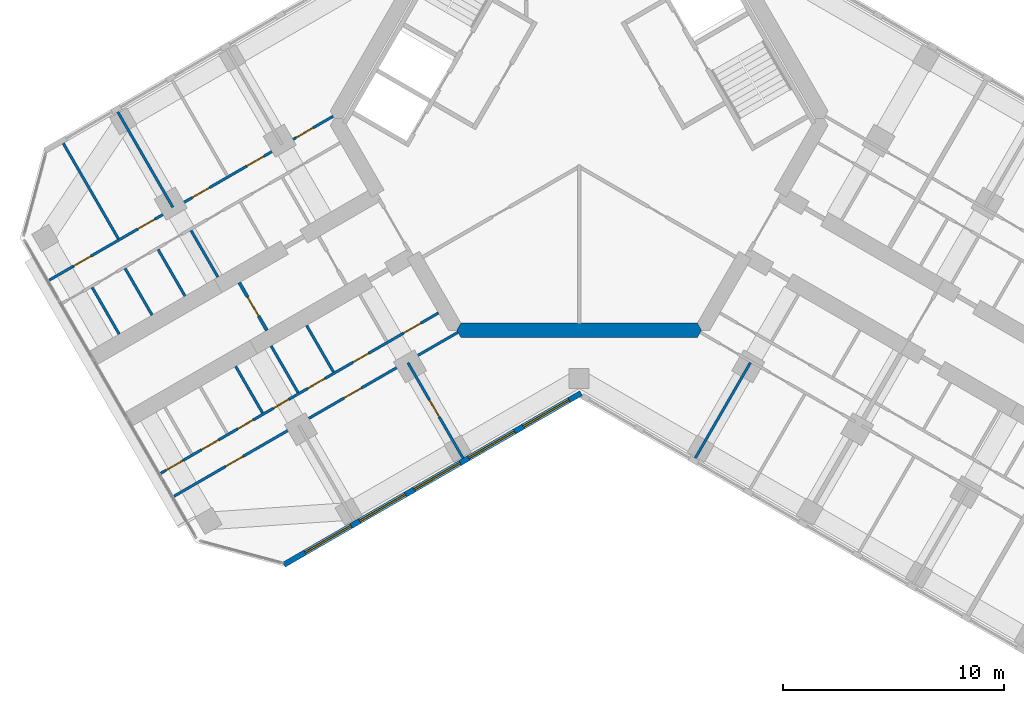
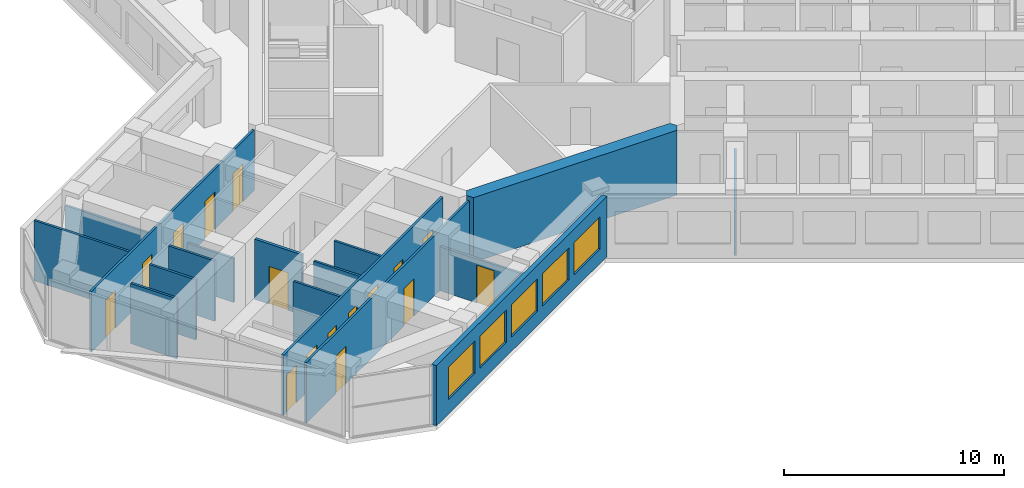
# One storey, part 8 of 16: 17 walls, 16 doors, 5 windows, 21 openings.
"""IFC4 building model written with IfcOpenShell, lengths in metres."""

from ifc_helpers import new_model, si_unit, direction, frame, frame_2d, origin, place, context, subcontext, project, spatial, polyline, rectangle, outline, extrude, material, layer, layer_set, type_object, element, fill, save


model = new_model("IFC4")

# Units and contexts
model_context = context("Model", 3, precision=1e-05, world=origin(), true_north=direction((0.0, 1.0)))
body_context = subcontext(model_context, "Body", "Model", "MODEL_VIEW")
ifc_project = project(units=[si_unit("LENGTHUNIT", "METRE"), si_unit("AREAUNIT", "SQUARE_METRE"), si_unit("VOLUMEUNIT", "CUBIC_METRE"), si_unit("PLANEANGLEUNIT", "RADIAN"), si_unit("MASSUNIT", "GRAM", prefix="KILO")], contexts=[model_context])

# Site, building, storey
site_placement = place(None, origin())
site = spatial("IfcSite", under=ifc_project, at=site_placement, CompositionType="ELEMENT")
building_placement = place(site_placement, origin())
building = spatial("IfcBuilding", under=site, at=building_placement, Name="Kosmar Iwan School Tower", CompositionType="ELEMENT")
storey_placement = place(building_placement, frame((0.0, 0.0, 201.0)))
storey = spatial("IfcBuildingStorey", under=building, at=storey_placement, Name="L50", CompositionType="ELEMENT", Elevation=201.0)

# Wall
ifc_material_1 = material(Name="Concrete C50/60", Category="concrete")
ifc_layer_1 = layer(ifc_material_1, 0.64990234375)
ifc_layer_set_1 = layer_set([ifc_layer_1], Name="Core wall 650")
wall_type_1 = type_object("IfcWallType", Name="Core wall 650", PredefinedType="SHEAR", material=ifc_layer_set_1)
wall_1_placement = place(storey_placement, origin())
element("IfcWall", 1, at=wall_1_placement, inside=storey, type_object=wall_type_1, Name="Core wall F270", PredefinedType="SHEAR", context=body_context, shape_type="SweptSolid", body=[
    extrude(outline(polyline([(-5.35498046875, -9.925048828125), (5.35498046875, -9.925048828125), (5.54248046875, -9.60009765625), (5.35498046875, -9.27490234375), (-5.35498046875, -9.27490234375), (-5.54248046875, -9.60009765625), (-5.35498046875, -9.925048828125)])), origin(), (0.0, 0.0, 1.0), 3.60009765625),
])

# Wall, opening, door
ifc_material_2 = material(Name="Gypsum board on steel studs, fire-rated", Category="steel")
ifc_layer_2 = layer(ifc_material_2, 0.14990234375)
ifc_layer_set_2 = layer_set([ifc_layer_2], Name="Corridor end wall 150")
wall_type_2 = type_object("IfcWallType", Name="Corridor end wall 150", PredefinedType="PARTITIONING", material=ifc_layer_set_2)
wall_2_placement = place(storey_placement, frame((-15.390625, -7.4423828125, 0.0), z_axis=(0.0, 0.0, 1.0), x_axis=(0.500004234368, -0.866022959057, 0.0)))
wall_2 = element("IfcWall", 2, at=wall_2_placement, inside=storey, type_object=wall_type_2, Name="Partition L50-B-CE", PredefinedType="PARTITIONING", context=body_context, shape_type="SweptSolid", body=[
    extrude(rectangle(XDim=2.5, YDim=0.14990234375, at=frame_2d((1.25, 0.0))), origin(), (0.0, 0.0, 1.0), 3.35009765625),
])
opening_1_placement = place(wall_2_placement, frame((0.75, 0.0, 0.0)))
opening_1 = element("IfcOpeningElement", 3, at=opening_1_placement, cuts=wall_2, Name="Opening D13", PredefinedType="OPENING", context=body_context, shape_type="SweptSolid", body=[
    extrude(rectangle(XDim=1.0, YDim=2.10009765625, at=frame_2d((0.5, 1.050048828125))), frame((0.0, 0.0869140625, 0.0), z_axis=(0.0, -1.0, 0.0), x_axis=(1.0, 0.0, 0.0)), (0.0, 0.0, 1.0), 0.173828125),
])
ifc_material_3 = material(Name="Timber fire door with vision panel", Category="wood")
door_type_1 = type_object("IfcDoorType", Name="Corridor end door 1000x2100", OperationType="SINGLE_SWING_LEFT", PredefinedType="DOOR", material=ifc_material_3)
door_1_placement = place(opening_1_placement, origin())
door_1 = element("IfcDoor", 4, at=door_1_placement, inside=storey, type_object=door_type_1, Name="Hobby workshop door L50-B", OperationType="SINGLE_SWING_LEFT", OverallHeight=2.10009765625, OverallWidth=1.0, PredefinedType="DOOR", context=body_context, shape_type="SweptSolid", body=[
    extrude(rectangle(XDim=1.0, YDim=2.10009765625, at=frame_2d((0.5, 1.050048828125))), frame((0.0, 0.02490234375, 0.0), z_axis=(0.0, -1.0, 0.0), x_axis=(1.0, 0.0, 0.0)), (0.0, 0.0, 1.0), 0.050048828125),
])
fill(opening_1, door_1)

# Wall, openings, doors
ifc_material_4 = material(Name="Gypsum board on steel studs", Category="steel")
ifc_layer_3 = layer(ifc_material_4, 0.1201171875)
ifc_layer_set_3 = layer_set([ifc_layer_3], Name="Dwelling partition 120")
wall_type_3 = type_object("IfcWallType", Name="Dwelling partition 120", PredefinedType="PARTITIONING", material=ifc_layer_set_3)
wall_3_placement = place(storey_placement, frame((-6.370361328125, -8.81640625, 0.0), z_axis=(0.0, 0.0, 1.0), x_axis=(-0.866025425371, -0.499999962611, 0.0)))
wall_3 = element("IfcWall", 5, at=wall_3_placement, inside=storey, type_object=wall_type_3, Name="Partition L50-BL1-W1", PredefinedType="PARTITIONING", context=body_context, shape_type="SweptSolid", body=[
    extrude(rectangle(XDim=14.52001953125, YDim=0.1201171875, at=frame_2d((7.260009765625, 0.0))), origin(), (0.0, 0.0, 1.0), 3.35009765625),
])
opening_2_placement = place(wall_3_placement, frame((0.925048828125, 0.0, 0.0)))
opening_2 = element("IfcOpeningElement", 6, at=opening_2_placement, cuts=wall_3, Name="Opening D2", PredefinedType="OPENING", context=body_context, shape_type="SweptSolid", body=[
    extrude(rectangle(XDim=0.89990234375, YDim=2.10009765625, at=frame_2d((0.449951171875, 1.050048828125))), frame((0.0, 0.072021484375, 0.0), z_axis=(0.0, -1.0, 0.0), x_axis=(1.0, 0.0, 0.0)), (0.0, 0.0, 1.0), 0.14404296875),
])
opening_3_placement = place(wall_3_placement, frame((3.665283203125, 0.0, 0.0)))
opening_3 = element("IfcOpeningElement", 7, at=opening_3_placement, cuts=wall_3, Name="Opening D3", PredefinedType="OPENING", context=body_context, shape_type="SweptSolid", body=[
    extrude(rectangle(XDim=0.800048828125, YDim=2.10009765625, at=frame_2d((0.39990234375, 1.050048828125))), frame((0.0, 0.072021484375, 0.0), z_axis=(0.0, -1.0, 0.0), x_axis=(1.0, 0.0, 0.0)), (0.0, 0.0, 1.0), 0.14404296875),
])
opening_4_placement = place(wall_3_placement, frame((5.9326171875, 0.0, 0.0)))
opening_4 = element("IfcOpeningElement", 8, at=opening_4_placement, cuts=wall_3, Name="Opening D2", PredefinedType="OPENING", context=body_context, shape_type="SweptSolid", body=[
    extrude(rectangle(XDim=0.89990234375, YDim=2.10009765625, at=frame_2d((0.449951171875, 1.050048828125))), frame((0.0, 0.072021484375, 0.0), z_axis=(0.0, -1.0, 0.0), x_axis=(1.0, 0.0, 0.0)), (0.0, 0.0, 1.0), 0.14404296875),
])
opening_5_placement = place(wall_3_placement, frame((7.836669921875, 0.0, 0.0)))
opening_5 = element("IfcOpeningElement", 9, at=opening_5_placement, cuts=wall_3, Name="Opening D3", PredefinedType="OPENING", context=body_context, shape_type="SweptSolid", body=[
    extrude(rectangle(XDim=0.800048828125, YDim=2.10009765625, at=frame_2d((0.39990234375, 1.050048828125))), frame((0.0, 0.072021484375, 0.0), z_axis=(0.0, -1.0, 0.0), x_axis=(1.0, 0.0, 0.0)), (0.0, 0.0, 1.0), 0.14404296875),
])
opening_6_placement = place(wall_3_placement, frame((9.6904296875, 0.0, 0.0)))
opening_6 = element("IfcOpeningElement", 10, at=opening_6_placement, cuts=wall_3, Name="Opening D3", PredefinedType="OPENING", context=body_context, shape_type="SweptSolid", body=[
    extrude(rectangle(XDim=0.800048828125, YDim=2.10009765625, at=frame_2d((0.39990234375, 1.050048828125))), frame((0.0, 0.072021484375, 0.0), z_axis=(0.0, -1.0, 0.0), x_axis=(1.0, 0.0, 0.0)), (0.0, 0.0, 1.0), 0.14404296875),
])
opening_7_placement = place(wall_3_placement, frame((11.494140625, 0.0, 0.0)))
opening_7 = element("IfcOpeningElement", 11, at=opening_7_placement, cuts=wall_3, Name="Opening D2", PredefinedType="OPENING", context=body_context, shape_type="SweptSolid", body=[
    extrude(rectangle(XDim=0.89990234375, YDim=2.10009765625, at=frame_2d((0.449951171875, 1.050048828125))), frame((0.0, 0.072021484375, 0.0), z_axis=(0.0, -1.0, 0.0), x_axis=(1.0, 0.0, 0.0)), (0.0, 0.0, 1.0), 0.14404296875),
])
opening_8_placement = place(wall_3_placement, frame((13.34814453125, 0.0, 0.0)))
opening_8 = element("IfcOpeningElement", 12, at=opening_8_placement, cuts=wall_3, Name="Opening D2", PredefinedType="OPENING", context=body_context, shape_type="SweptSolid", body=[
    extrude(rectangle(XDim=0.89990234375, YDim=2.10009765625, at=frame_2d((0.449951171875, 1.050048828125))), frame((0.0, 0.072021484375, 0.0), z_axis=(0.0, -1.0, 0.0), x_axis=(1.0, 0.0, 0.0)), (0.0, 0.0, 1.0), 0.14404296875),
])
ifc_material_5 = material(Name="Timber door in timber frame", Category="wood")
door_type_2 = type_object("IfcDoorType", Name="Internal door 900x2100", OperationType="SINGLE_SWING_LEFT", PredefinedType="DOOR", material=ifc_material_5)
door_2_placement = place(opening_2_placement, origin())
door_2 = element("IfcDoor", 13, at=door_2_placement, inside=storey, type_object=door_type_2, Name="Entrance hall door L50-BL1-S1", OperationType="SINGLE_SWING_LEFT", OverallHeight=2.10009765625, OverallWidth=0.89990234375, PredefinedType="DOOR", context=body_context, shape_type="SweptSolid", body=[
    extrude(rectangle(XDim=0.89990234375, YDim=2.10009765625, at=frame_2d((0.449951171875, 1.050048828125))), frame((0.0, 0.02490234375, 0.0), z_axis=(0.0, -1.0, 0.0), x_axis=(1.0, 0.0, 0.0)), (0.0, 0.0, 1.0), 0.050048828125),
])
fill(opening_2, door_2)
door_3_placement = place(opening_4_placement, origin())
door_3 = element("IfcDoor", 14, at=door_3_placement, inside=storey, type_object=door_type_2, Name="Pantry door L50-BL1-S3", OperationType="SINGLE_SWING_LEFT", OverallHeight=2.10009765625, OverallWidth=0.89990234375, PredefinedType="DOOR", context=body_context, shape_type="SweptSolid", body=[
    extrude(rectangle(XDim=0.89990234375, YDim=2.10009765625, at=frame_2d((0.449951171875, 1.050048828125))), frame((0.0, 0.02490234375, 0.0), z_axis=(0.0, -1.0, 0.0), x_axis=(1.0, 0.0, 0.0)), (0.0, 0.0, 1.0), 0.050048828125),
])
fill(opening_4, door_3)
door_4_placement = place(opening_7_placement, origin())
door_4 = element("IfcDoor", 15, at=door_4_placement, inside=storey, type_object=door_type_2, Name="Utility room door L50-BL1-S6", OperationType="SINGLE_SWING_RIGHT", OverallHeight=2.10009765625, OverallWidth=0.89990234375, PredefinedType="DOOR", context=body_context, shape_type="SweptSolid", body=[
    extrude(rectangle(XDim=0.89990234375, YDim=2.10009765625, at=frame_2d((0.449951171875, 1.050048828125))), frame((0.0, 0.02490234375, 0.0), z_axis=(0.0, -1.0, 0.0), x_axis=(1.0, 0.0, 0.0)), (0.0, 0.0, 1.0), 0.050048828125),
])
fill(opening_7, door_4)
door_5_placement = place(opening_8_placement, origin())
door_5 = element("IfcDoor", 16, at=door_5_placement, inside=storey, type_object=door_type_2, Name="Dressing room door L50-BL1-S7", OperationType="SINGLE_SWING_RIGHT", OverallHeight=2.10009765625, OverallWidth=0.89990234375, PredefinedType="DOOR", context=body_context, shape_type="SweptSolid", body=[
    extrude(rectangle(XDim=0.89990234375, YDim=2.10009765625, at=frame_2d((0.449951171875, 1.050048828125))), frame((0.0, 0.02490234375, 0.0), z_axis=(0.0, -1.0, 0.0), x_axis=(1.0, 0.0, 0.0)), (0.0, 0.0, 1.0), 0.050048828125),
])
fill(opening_8, door_5)
ifc_material_6 = material(Name="Timber door in timber frame", Category="wood")
door_type_3 = type_object("IfcDoorType", Name="Sanitary room door 800x2100", OperationType="SINGLE_SWING_LEFT", PredefinedType="DOOR", material=ifc_material_6)
door_6_placement = place(opening_3_placement, origin())
door_6 = element("IfcDoor", 17, at=door_6_placement, inside=storey, type_object=door_type_3, Name="Bathroom door L50-BL1-S2", OperationType="SINGLE_SWING_LEFT", OverallHeight=2.10009765625, OverallWidth=0.800048828125, PredefinedType="DOOR", context=body_context, shape_type="SweptSolid", body=[
    extrude(rectangle(XDim=0.800048828125, YDim=2.10009765625, at=frame_2d((0.39990234375, 1.050048828125))), frame((0.0, 0.02490234375, 0.0), z_axis=(0.0, -1.0, 0.0), x_axis=(1.0, 0.0, 0.0)), (0.0, 0.0, 1.0), 0.050048828125),
])
fill(opening_3, door_6)
door_7_placement = place(opening_5_placement, origin())
door_7 = element("IfcDoor", 18, at=door_7_placement, inside=storey, type_object=door_type_3, Name="WC door L50-BL1-S4", OperationType="SINGLE_SWING_RIGHT", OverallHeight=2.10009765625, OverallWidth=0.800048828125, PredefinedType="DOOR", context=body_context, shape_type="SweptSolid", body=[
    extrude(rectangle(XDim=0.800048828125, YDim=2.10009765625, at=frame_2d((0.39990234375, 1.050048828125))), frame((0.0, 0.02490234375, 0.0), z_axis=(0.0, -1.0, 0.0), x_axis=(1.0, 0.0, 0.0)), (0.0, 0.0, 1.0), 0.050048828125),
])
fill(opening_5, door_7)
door_8_placement = place(opening_6_placement, origin())
door_8 = element("IfcDoor", 19, at=door_8_placement, inside=storey, type_object=door_type_3, Name="Store door L50-BL1-S5", OperationType="SINGLE_SWING_RIGHT", OverallHeight=2.10009765625, OverallWidth=0.800048828125, PredefinedType="DOOR", context=body_context, shape_type="SweptSolid", body=[
    extrude(rectangle(XDim=0.800048828125, YDim=2.10009765625, at=frame_2d((0.39990234375, 1.050048828125))), frame((0.0, 0.02490234375, 0.0), z_axis=(0.0, -1.0, 0.0), x_axis=(1.0, 0.0, 0.0)), (0.0, 0.0, 1.0), 0.050048828125),
])
fill(opening_6, door_8)

wall_4_placement = place(storey_placement, frame((-5.48876953125, -9.693115234375, 0.0), z_axis=(0.0, 0.0, 1.0), x_axis=(-0.866030301974, -0.499991515992, 0.0)))
wall_4 = element("IfcWall", 20, at=wall_4_placement, inside=storey, type_object=wall_type_3, Name="Partition L50-BL1-W2", PredefinedType="PARTITIONING", context=body_context, shape_type="SweptSolid", body=[
    extrude(rectangle(XDim=14.844970703125, YDim=0.1201171875, at=frame_2d((7.42236328125, 0.0))), origin(), (0.0, 0.0, 1.0), 3.35009765625),
])
opening_9_placement = place(wall_4_placement, frame((5.050048828125, 0.0, 0.0)))
opening_9 = element("IfcOpeningElement", 21, at=opening_9_placement, cuts=wall_4, Name="Opening D2", PredefinedType="OPENING", context=body_context, shape_type="SweptSolid", body=[
    extrude(rectangle(XDim=0.89990234375, YDim=2.10009765625, at=frame_2d((0.449951171875, 1.050048828125))), frame((0.0, 0.072021484375, 0.0), z_axis=(0.0, -1.0, 0.0), x_axis=(1.0, 0.0, 0.0)), (0.0, 0.0, 1.0), 0.14404296875),
])
opening_10_placement = place(wall_4_placement, frame((11.25, 0.0, 0.0)))
opening_10 = element("IfcOpeningElement", 22, at=opening_10_placement, cuts=wall_4, Name="Opening D2", PredefinedType="OPENING", context=body_context, shape_type="SweptSolid", body=[
    extrude(rectangle(XDim=0.89990234375, YDim=2.10009765625, at=frame_2d((0.449951171875, 1.050048828125))), frame((0.0, 0.072021484375, 0.0), z_axis=(0.0, -1.0, 0.0), x_axis=(1.0, 0.0, 0.0)), (0.0, 0.0, 1.0), 0.14404296875),
])
door_9_placement = place(opening_9_placement, origin())
door_9 = element("IfcDoor", 23, at=door_9_placement, inside=storey, type_object=door_type_2, Name="Family room door L50-BL1-F2", OperationType="SINGLE_SWING_LEFT", OverallHeight=2.10009765625, OverallWidth=0.89990234375, PredefinedType="DOOR", context=body_context, shape_type="SweptSolid", body=[
    extrude(rectangle(XDim=0.89990234375, YDim=2.10009765625, at=frame_2d((0.449951171875, 1.050048828125))), frame((0.0, 0.02490234375, 0.0), z_axis=(0.0, -1.0, 0.0), x_axis=(1.0, 0.0, 0.0)), (0.0, 0.0, 1.0), 0.050048828125),
])
fill(opening_9, door_9)
door_10_placement = place(opening_10_placement, origin())
door_10 = element("IfcDoor", 24, at=door_10_placement, inside=storey, type_object=door_type_2, Name="Bedroom 1 door L50-BL1-F3", OperationType="SINGLE_SWING_RIGHT", OverallHeight=2.10009765625, OverallWidth=0.89990234375, PredefinedType="DOOR", context=body_context, shape_type="SweptSolid", body=[
    extrude(rectangle(XDim=0.89990234375, YDim=2.10009765625, at=frame_2d((0.449951171875, 1.050048828125))), frame((0.0, 0.02490234375, 0.0), z_axis=(0.0, -1.0, 0.0), x_axis=(1.0, 0.0, 0.0)), (0.0, 0.0, 1.0), 0.050048828125),
])
fill(opening_10, door_10)

# Wall, opening, door
wall_5_placement = place(storey_placement, frame((-7.75390625, -11.070068359375, 0.0), z_axis=(0.0, 0.0, 1.0), x_axis=(0.500011847778, -0.866018563358, 0.0)))
wall_5 = element("IfcWall", 25, at=wall_5_placement, inside=storey, type_object=wall_type_3, Name="Partition L50-BL1-X1", PredefinedType="PARTITIONING", context=body_context, shape_type="SweptSolid", body=[
    extrude(rectangle(XDim=4.990234375, YDim=0.1201171875, at=frame_2d((2.4951171875, 0.0))), origin(), (0.0, 0.0, 1.0), 2.449951171875),
])
opening_11_placement = place(wall_5_placement, frame((1.93994140625, 0.0, 0.0)))
opening_11 = element("IfcOpeningElement", 26, at=opening_11_placement, cuts=wall_5, Name="Opening D2", PredefinedType="OPENING", context=body_context, shape_type="SweptSolid", body=[
    extrude(rectangle(XDim=0.89990234375, YDim=2.10009765625, at=frame_2d((0.449951171875, 1.050048828125))), frame((0.0, 0.072021484375, 0.0), z_axis=(0.0, -1.0, 0.0), x_axis=(1.0, 0.0, 0.0)), (0.0, 0.0, 1.0), 0.14404296875),
])
door_11_placement = place(opening_11_placement, origin())
door_11 = element("IfcDoor", 27, at=door_11_placement, inside=storey, type_object=door_type_2, Name="Kitchen and dining room door L50-BL1-F1", OperationType="SINGLE_SWING_LEFT", OverallHeight=2.10009765625, OverallWidth=0.89990234375, PredefinedType="DOOR", context=body_context, shape_type="SweptSolid", body=[
    extrude(rectangle(XDim=0.89990234375, YDim=2.10009765625, at=frame_2d((0.449951171875, 1.050048828125))), frame((0.0, 0.02490234375, 0.0), z_axis=(0.0, -1.0, 0.0), x_axis=(1.0, 0.0, 0.0)), (0.0, 0.0, 1.0), 0.050048828125),
])
fill(opening_11, door_11)

# Walls
for number, where, z_axis, x_axis, name in (
    (28, (-12.34521484375, -9.379150390625, 0.0), (0.0, 0.0, 1.0), (0.500002508028, -0.866023955769, 0.0), "Partition L50-BL1-Y2"),
    (29, (-13.95068359375, -10.30615234375, 0.0), (0.0, 0.0, 1.0), (0.500002508028, -0.866023955769, 0.0), "Partition L50-BL1-Y3"),
):
    element("IfcWall", number, at=place(storey_placement, frame(where, z_axis=z_axis, x_axis=x_axis)), inside=storey, type_object=wall_type_3, Name=name, PredefinedType="PARTITIONING", context=body_context, shape_type="SweptSolid", body=[
        extrude(rectangle(XDim=2.43994140625, YDim=0.1201171875, at=frame_2d((1.219970703125, 0.0))), origin(), (0.0, 0.0, 1.0), 3.35009765625),
    ])
wall_6_placement = place(storey_placement, frame((-15.55615234375, -11.23291015625, 0.0), z_axis=(0.0, 0.0, 1.0), x_axis=(0.499959183527, -0.866048967903, 0.0)))
element("IfcWall", 30, at=wall_6_placement, inside=storey, type_object=wall_type_3, Name="Partition L50-BL1-Y4", PredefinedType="PARTITIONING", context=body_context, shape_type="SweptSolid", body=[
    extrude(rectangle(XDim=2.440185546875, YDim=0.1201171875, at=frame_2d((1.22021484375, 0.0))), origin(), (0.0, 0.0, 1.0), 3.35009765625),
])

# Wall, openings, doors
wall_7_placement = place(storey_placement, frame((-11.138916015625, 0.093017578125, 0.0), z_axis=(0.0, 0.0, 1.0), x_axis=(-0.866030301974, -0.499991515992, 0.0)))
wall_7 = element("IfcWall", 31, at=wall_7_placement, inside=storey, type_object=wall_type_3, Name="Partition L50-BR1-W2", PredefinedType="PARTITIONING", context=body_context, shape_type="SweptSolid", body=[
    extrude(rectangle(XDim=14.844970703125, YDim=0.1201171875, at=frame_2d((7.42236328125, 0.0))), origin(), (0.0, 0.0, 1.0), 3.35009765625),
])
opening_12_placement = place(wall_7_placement, frame((1.050048828125, 0.0, 0.0)))
opening_12 = element("IfcOpeningElement", 32, at=opening_12_placement, cuts=wall_7, Name="Opening D2", PredefinedType="OPENING", context=body_context, shape_type="SweptSolid", body=[
    extrude(rectangle(XDim=0.89990234375, YDim=2.10009765625, at=frame_2d((0.449951171875, 1.050048828125))), frame((0.0, 0.072021484375, 0.0), z_axis=(0.0, -1.0, 0.0), x_axis=(1.0, 0.0, 0.0)), (0.0, 0.0, 1.0), 0.14404296875),
])
opening_13_placement = place(wall_7_placement, frame((3.625, 0.0, 0.0)))
opening_13 = element("IfcOpeningElement", 33, at=opening_13_placement, cuts=wall_7, Name="Opening D2", PredefinedType="OPENING", context=body_context, shape_type="SweptSolid", body=[
    extrude(rectangle(XDim=0.89990234375, YDim=2.10009765625, at=frame_2d((0.449951171875, 1.050048828125))), frame((0.0, 0.072021484375, 0.0), z_axis=(0.0, -1.0, 0.0), x_axis=(1.0, 0.0, 0.0)), (0.0, 0.0, 1.0), 0.14404296875),
])
opening_14_placement = place(wall_7_placement, frame((6.47509765625, 0.0, 0.0)))
opening_14 = element("IfcOpeningElement", 34, at=opening_14_placement, cuts=wall_7, Name="Opening D2", PredefinedType="OPENING", context=body_context, shape_type="SweptSolid", body=[
    extrude(rectangle(XDim=0.89990234375, YDim=2.10009765625, at=frame_2d((0.449951171875, 1.050048828125))), frame((0.0, 0.072021484375, 0.0), z_axis=(0.0, -1.0, 0.0), x_axis=(1.0, 0.0, 0.0)), (0.0, 0.0, 1.0), 0.14404296875),
])
opening_15_placement = place(wall_7_placement, frame((9.324951171875, 0.0, 0.0)))
opening_15 = element("IfcOpeningElement", 35, at=opening_15_placement, cuts=wall_7, Name="Opening D2", PredefinedType="OPENING", context=body_context, shape_type="SweptSolid", body=[
    extrude(rectangle(XDim=0.89990234375, YDim=2.10009765625, at=frame_2d((0.449951171875, 1.050048828125))), frame((0.0, 0.072021484375, 0.0), z_axis=(0.0, -1.0, 0.0), x_axis=(1.0, 0.0, 0.0)), (0.0, 0.0, 1.0), 0.14404296875),
])
opening_16_placement = place(wall_7_placement, frame((12.675048828125, 0.0, 0.0)))
opening_16 = element("IfcOpeningElement", 36, at=opening_16_placement, cuts=wall_7, Name="Opening D2", PredefinedType="OPENING", context=body_context, shape_type="SweptSolid", body=[
    extrude(rectangle(XDim=0.89990234375, YDim=2.10009765625, at=frame_2d((0.449951171875, 1.050048828125))), frame((0.0, 0.072021484375, 0.0), z_axis=(0.0, -1.0, 0.0), x_axis=(1.0, 0.0, 0.0)), (0.0, 0.0, 1.0), 0.14404296875),
])
door_12_placement = place(opening_12_placement, origin())
door_12 = element("IfcDoor", 37, at=door_12_placement, inside=storey, type_object=door_type_2, Name="Living room and kitchen door L50-BR1-F1", OperationType="SINGLE_SWING_LEFT", OverallHeight=2.10009765625, OverallWidth=0.89990234375, PredefinedType="DOOR", context=body_context, shape_type="SweptSolid", body=[
    extrude(rectangle(XDim=0.89990234375, YDim=2.10009765625, at=frame_2d((0.449951171875, 1.050048828125))), frame((0.0, 0.02490234375, 0.0), z_axis=(0.0, -1.0, 0.0), x_axis=(1.0, 0.0, 0.0)), (0.0, 0.0, 1.0), 0.050048828125),
])
fill(opening_12, door_12)
door_13_placement = place(opening_13_placement, origin())
door_13 = element("IfcDoor", 38, at=door_13_placement, inside=storey, type_object=door_type_2, Name="Study door L50-BR1-F2", OperationType="SINGLE_SWING_LEFT", OverallHeight=2.10009765625, OverallWidth=0.89990234375, PredefinedType="DOOR", context=body_context, shape_type="SweptSolid", body=[
    extrude(rectangle(XDim=0.89990234375, YDim=2.10009765625, at=frame_2d((0.449951171875, 1.050048828125))), frame((0.0, 0.02490234375, 0.0), z_axis=(0.0, -1.0, 0.0), x_axis=(1.0, 0.0, 0.0)), (0.0, 0.0, 1.0), 0.050048828125),
])
fill(opening_13, door_13)
door_14_placement = place(opening_14_placement, origin())
door_14 = element("IfcDoor", 39, at=door_14_placement, inside=storey, type_object=door_type_2, Name="Bedroom 1 door L50-BR1-F3", OperationType="SINGLE_SWING_LEFT", OverallHeight=2.10009765625, OverallWidth=0.89990234375, PredefinedType="DOOR", context=body_context, shape_type="SweptSolid", body=[
    extrude(rectangle(XDim=0.89990234375, YDim=2.10009765625, at=frame_2d((0.449951171875, 1.050048828125))), frame((0.0, 0.02490234375, 0.0), z_axis=(0.0, -1.0, 0.0), x_axis=(1.0, 0.0, 0.0)), (0.0, 0.0, 1.0), 0.050048828125),
])
fill(opening_14, door_14)
door_15_placement = place(opening_15_placement, origin())
door_15 = element("IfcDoor", 40, at=door_15_placement, inside=storey, type_object=door_type_2, Name="Grandparents' suite door L50-BR1-F4", OperationType="SINGLE_SWING_RIGHT", OverallHeight=2.10009765625, OverallWidth=0.89990234375, PredefinedType="DOOR", context=body_context, shape_type="SweptSolid", body=[
    extrude(rectangle(XDim=0.89990234375, YDim=2.10009765625, at=frame_2d((0.449951171875, 1.050048828125))), frame((0.0, 0.02490234375, 0.0), z_axis=(0.0, -1.0, 0.0), x_axis=(1.0, 0.0, 0.0)), (0.0, 0.0, 1.0), 0.050048828125),
])
fill(opening_15, door_15)
door_16_placement = place(opening_16_placement, origin())
door_16 = element("IfcDoor", 41, at=door_16_placement, inside=storey, type_object=door_type_2, Name="Bedroom 2 door L50-BR1-F5", OperationType="SINGLE_SWING_RIGHT", OverallHeight=2.10009765625, OverallWidth=0.89990234375, PredefinedType="DOOR", context=body_context, shape_type="SweptSolid", body=[
    extrude(rectangle(XDim=0.89990234375, YDim=2.10009765625, at=frame_2d((0.449951171875, 1.050048828125))), frame((0.0, 0.02490234375, 0.0), z_axis=(0.0, -1.0, 0.0), x_axis=(1.0, 0.0, 0.0)), (0.0, 0.0, 1.0), 0.050048828125),
])
fill(opening_16, door_16)

# Walls
wall_8_placement = place(storey_placement, frame((-18.400146484375, -4.030029296875, 0.0), z_axis=(0.0, 0.0, 1.0), x_axis=(-0.500011847778, 0.866018563358, 0.0)))
element("IfcWall", 42, at=wall_8_placement, inside=storey, type_object=wall_type_3, Name="Partition L50-BR1-X3", PredefinedType="PARTITIONING", context=body_context, shape_type="SweptSolid", body=[
    extrude(rectangle(XDim=4.990234375, YDim=0.1201171875, at=frame_2d((2.4951171875, 0.0))), origin(), (0.0, 0.0, 1.0), 2.449951171875),
])
wall_9_placement = place(storey_placement, frame((-20.868408203125, -5.455078125, 0.0), z_axis=(0.0, 0.0, 1.0), x_axis=(-0.499975153383, 0.86603974851, 0.0)))
element("IfcWall", 43, at=wall_9_placement, inside=storey, type_object=wall_type_3, Name="Partition L50-BR1-X4", PredefinedType="PARTITIONING", context=body_context, shape_type="SweptSolid", body=[
    extrude(rectangle(XDim=4.989990234375, YDim=0.1201171875, at=frame_2d((2.4951171875, 0.0))), origin(), (0.0, 0.0, 1.0), 3.35009765625),
])
wall_10_placement = place(storey_placement, frame((-16.35791015625, -7.192626953125, 0.0), z_axis=(0.0, 0.0, 1.0), x_axis=(-0.500002508028, 0.866023955769, 0.0)))
element("IfcWall", 44, at=wall_10_placement, inside=storey, type_object=wall_type_3, Name="Partition L50-BR1-Y3", PredefinedType="PARTITIONING", context=body_context, shape_type="SweptSolid", body=[
    extrude(rectangle(XDim=2.43994140625, YDim=0.1201171875, at=frame_2d((1.219970703125, 0.0))), origin(), (0.0, 0.0, 1.0), 2.449951171875),
])
wall_11_placement = place(storey_placement, frame((-17.84912109375, -8.053466796875, 0.0), z_axis=(0.0, 0.0, 1.0), x_axis=(-0.500002508028, 0.866023955769, 0.0)))
element("IfcWall", 45, at=wall_11_placement, inside=storey, type_object=wall_type_3, Name="Partition L50-BR1-Y4", PredefinedType="PARTITIONING", context=body_context, shape_type="SweptSolid", body=[
    extrude(rectangle(XDim=2.43994140625, YDim=0.1201171875, at=frame_2d((1.219970703125, 0.0))), origin(), (0.0, 0.0, 1.0), 3.35009765625),
])
for number, where, z_axis, x_axis, name in (
    (46, (-19.34033203125, -8.91455078125, 0.0), (0.0, 0.0, 1.0), (-0.499959183527, 0.866048967903, 0.0), "Partition L50-BR1-Y5"),
    (47, (-20.831298828125, -9.775390625, 0.0), (0.0, 0.0, 1.0), (-0.500034220881, 0.866005645448, 0.0), "Partition L50-BR1-Y6"),
):
    element("IfcWall", number, at=place(storey_placement, frame(where, z_axis=z_axis, x_axis=x_axis)), inside=storey, type_object=wall_type_3, Name=name, PredefinedType="PARTITIONING", context=body_context, shape_type="SweptSolid", body=[
        extrude(rectangle(XDim=2.440185546875, YDim=0.1201171875, at=frame_2d((1.22021484375, 0.0))), origin(), (0.0, 0.0, 1.0), 3.35009765625),
    ])
wall_12_placement = place(storey_placement, frame((7.75390625, -11.070068359375, 0.0), z_axis=(0.0, 0.0, 1.0), x_axis=(-0.500011847778, -0.866018563358, 0.0)))
element("IfcWall", 48, at=wall_12_placement, inside=storey, type_object=wall_type_3, Name="Partition L50-CR1-X1", PredefinedType="PARTITIONING", context=body_context, shape_type="SweptSolid", body=[
    extrude(rectangle(XDim=4.990234375, YDim=0.1201171875, at=frame_2d((2.4951171875, 0.0))), origin(), (0.0, 0.0, 1.0), 2.449951171875),
])

# Wall, openings, windows
ifc_material_7 = material(Name="Black aluminium rainscreen on insulated framing", Category="aluminium")
ifc_layer_4 = layer(ifc_material_7, 0.25)
ifc_layer_set_4 = layer_set([ifc_layer_4], Name="External wall rainscreen 250")
wall_type_4 = type_object("IfcWallType", Name="External wall rainscreen 250", PredefinedType="SOLIDWALL", material=ifc_layer_set_4)
wall_13_placement = place(storey_placement, frame((0.088134765625, -12.44873046875, 0.0), z_axis=(0.0, 0.0, 1.0), x_axis=(-0.866029894971, -0.499992220956, 0.0)))
wall_13 = element("IfcWall", 49, at=wall_13_placement, inside=storey, type_object=wall_type_4, Name="External wall BL L50", PredefinedType="SOLIDWALL", context=body_context, shape_type="SweptSolid", body=[
    extrude(rectangle(XDim=15.537353515625, YDim=0.25, at=frame_2d((7.7685546875, 0.0))), origin(), (0.0, 0.0, 1.0), 3.35009765625),
])
opening_17_placement = place(wall_13_placement, frame((0.626953125, 0.0, 0.800048828125)))
opening_17 = element("IfcOpeningElement", 50, at=opening_17_placement, cuts=wall_13, Name="Opening W5", PredefinedType="OPENING", context=body_context, shape_type="SweptSolid", body=[
    extrude(rectangle(XDim=2.39990234375, YDim=1.800048828125, at=frame_2d((1.199951171875, 0.89990234375))), frame((0.0, 0.136962890625, 0.0), z_axis=(0.0, -1.0, 0.0), x_axis=(1.0, 0.0, 0.0)), (0.0, 0.0, 1.0), 0.27392578125),
])
opening_18_placement = place(wall_13_placement, frame((3.47705078125, 0.0, 0.800048828125)))
opening_18 = element("IfcOpeningElement", 51, at=opening_18_placement, cuts=wall_13, Name="Opening W5", PredefinedType="OPENING", context=body_context, shape_type="SweptSolid", body=[
    extrude(rectangle(XDim=2.39990234375, YDim=1.800048828125, at=frame_2d((1.199951171875, 0.89990234375))), frame((0.0, 0.136962890625, 0.0), z_axis=(0.0, -1.0, 0.0), x_axis=(1.0, 0.0, 0.0)), (0.0, 0.0, 1.0), 0.27392578125),
])
opening_19_placement = place(wall_13_placement, frame((6.326904296875, 0.0, 0.800048828125)))
opening_19 = element("IfcOpeningElement", 52, at=opening_19_placement, cuts=wall_13, Name="Opening W5", PredefinedType="OPENING", context=body_context, shape_type="SweptSolid", body=[
    extrude(rectangle(XDim=2.39990234375, YDim=1.800048828125, at=frame_2d((1.199951171875, 0.89990234375))), frame((0.0, 0.136962890625, 0.0), z_axis=(0.0, -1.0, 0.0), x_axis=(1.0, 0.0, 0.0)), (0.0, 0.0, 1.0), 0.27392578125),
])
opening_20_placement = place(wall_13_placement, frame((9.177001953125, 0.0, 0.800048828125)))
opening_20 = element("IfcOpeningElement", 53, at=opening_20_placement, cuts=wall_13, Name="Opening W5", PredefinedType="OPENING", context=body_context, shape_type="SweptSolid", body=[
    extrude(rectangle(XDim=2.39990234375, YDim=1.800048828125, at=frame_2d((1.199951171875, 0.89990234375))), frame((0.0, 0.136962890625, 0.0), z_axis=(0.0, -1.0, 0.0), x_axis=(1.0, 0.0, 0.0)), (0.0, 0.0, 1.0), 0.27392578125),
])
opening_21_placement = place(wall_13_placement, frame((12.027099609375, 0.0, 0.800048828125)))
opening_21 = element("IfcOpeningElement", 54, at=opening_21_placement, cuts=wall_13, Name="Opening W5", PredefinedType="OPENING", context=body_context, shape_type="SweptSolid", body=[
    extrude(rectangle(XDim=2.39990234375, YDim=1.800048828125, at=frame_2d((1.199951171875, 0.89990234375))), frame((0.0, 0.136962890625, 0.0), z_axis=(0.0, -1.0, 0.0), x_axis=(1.0, 0.0, 0.0)), (0.0, 0.0, 1.0), 0.27392578125),
])
ifc_material_8 = material(Name="Black aluminium frame with dark triple glazing", Category="aluminium")
window_type = type_object("IfcWindowType", Name="Window 2400x1800", PartitioningType="SINGLE_PANEL", PredefinedType="WINDOW", material=ifc_material_8)
window_1_placement = place(opening_17_placement, origin())
window_1 = element("IfcWindow", 55, at=window_1_placement, inside=storey, type_object=window_type, Name="Window BL L50 -1", OverallHeight=1.800048828125, OverallWidth=2.39990234375, PartitioningType="SINGLE_PANEL", PredefinedType="WINDOW", context=body_context, shape_type="SweptSolid", body=[
    extrude(rectangle(XDim=2.39990234375, YDim=1.800048828125, at=frame_2d((1.199951171875, 0.89990234375))), frame((0.0, 0.030029296875, 0.0), z_axis=(0.0, -1.0, 0.0), x_axis=(1.0, 0.0, 0.0)), (0.0, 0.0, 1.0), 0.06005859375),
])
fill(opening_17, window_1)
window_2_placement = place(opening_18_placement, origin())
window_2 = element("IfcWindow", 56, at=window_2_placement, inside=storey, type_object=window_type, Name="Window BL L50 0", OverallHeight=1.800048828125, OverallWidth=2.39990234375, PartitioningType="SINGLE_PANEL", PredefinedType="WINDOW", context=body_context, shape_type="SweptSolid", body=[
    extrude(rectangle(XDim=2.39990234375, YDim=1.800048828125, at=frame_2d((1.199951171875, 0.89990234375))), frame((0.0, 0.030029296875, 0.0), z_axis=(0.0, -1.0, 0.0), x_axis=(1.0, 0.0, 0.0)), (0.0, 0.0, 1.0), 0.06005859375),
])
fill(opening_18, window_2)
window_3_placement = place(opening_19_placement, origin())
window_3 = element("IfcWindow", 57, at=window_3_placement, inside=storey, type_object=window_type, Name="Window BL L50 1", OverallHeight=1.800048828125, OverallWidth=2.39990234375, PartitioningType="SINGLE_PANEL", PredefinedType="WINDOW", context=body_context, shape_type="SweptSolid", body=[
    extrude(rectangle(XDim=2.39990234375, YDim=1.800048828125, at=frame_2d((1.199951171875, 0.89990234375))), frame((0.0, 0.030029296875, 0.0), z_axis=(0.0, -1.0, 0.0), x_axis=(1.0, 0.0, 0.0)), (0.0, 0.0, 1.0), 0.06005859375),
])
fill(opening_19, window_3)
window_4_placement = place(opening_20_placement, origin())
window_4 = element("IfcWindow", 58, at=window_4_placement, inside=storey, type_object=window_type, Name="Window BL L50 2", OverallHeight=1.800048828125, OverallWidth=2.39990234375, PartitioningType="SINGLE_PANEL", PredefinedType="WINDOW", context=body_context, shape_type="SweptSolid", body=[
    extrude(rectangle(XDim=2.39990234375, YDim=1.800048828125, at=frame_2d((1.199951171875, 0.89990234375))), frame((0.0, 0.030029296875, 0.0), z_axis=(0.0, -1.0, 0.0), x_axis=(1.0, 0.0, 0.0)), (0.0, 0.0, 1.0), 0.06005859375),
])
fill(opening_20, window_4)
window_5_placement = place(opening_21_placement, origin())
window_5 = element("IfcWindow", 59, at=window_5_placement, inside=storey, type_object=window_type, Name="Window BL L50 3", OverallHeight=1.800048828125, OverallWidth=2.39990234375, PartitioningType="SINGLE_PANEL", PredefinedType="WINDOW", context=body_context, shape_type="SweptSolid", body=[
    extrude(rectangle(XDim=2.39990234375, YDim=1.800048828125, at=frame_2d((1.199951171875, 0.89990234375))), frame((0.0, 0.030029296875, 0.0), z_axis=(0.0, -1.0, 0.0), x_axis=(1.0, 0.0, 0.0)), (0.0, 0.0, 1.0), 0.06005859375),
])
fill(opening_21, window_5)

save(model, "model.ifc")
